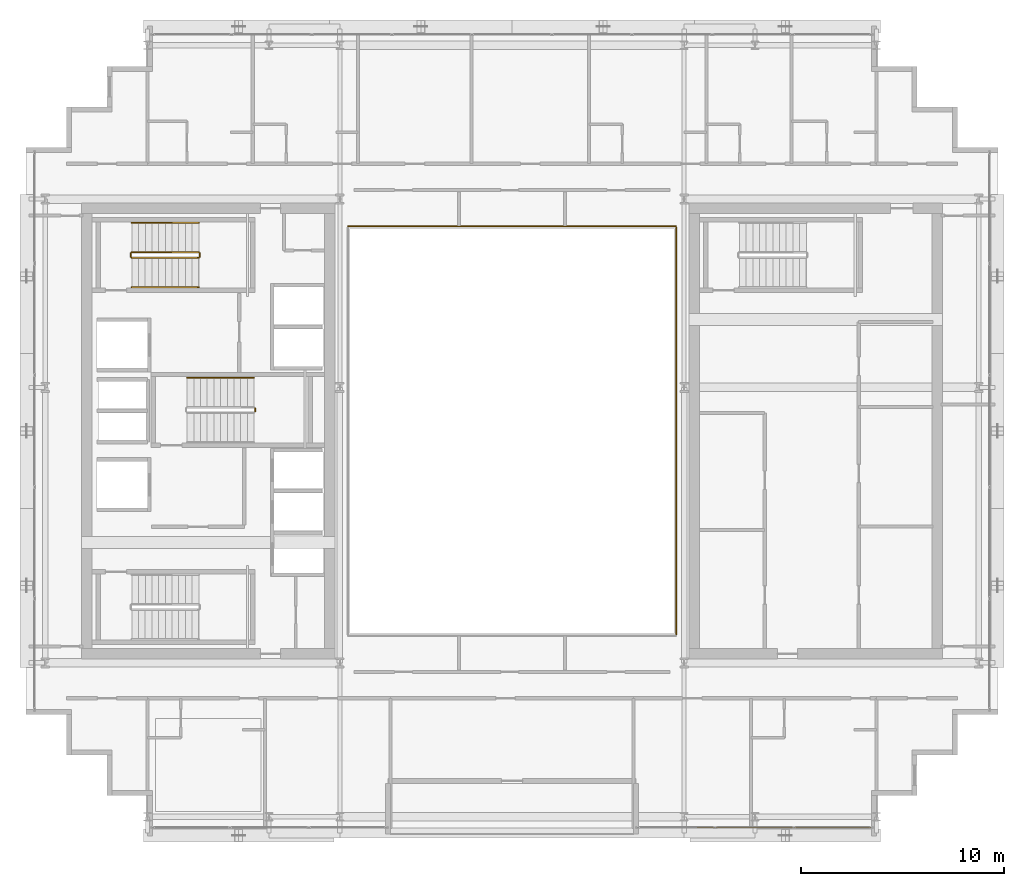
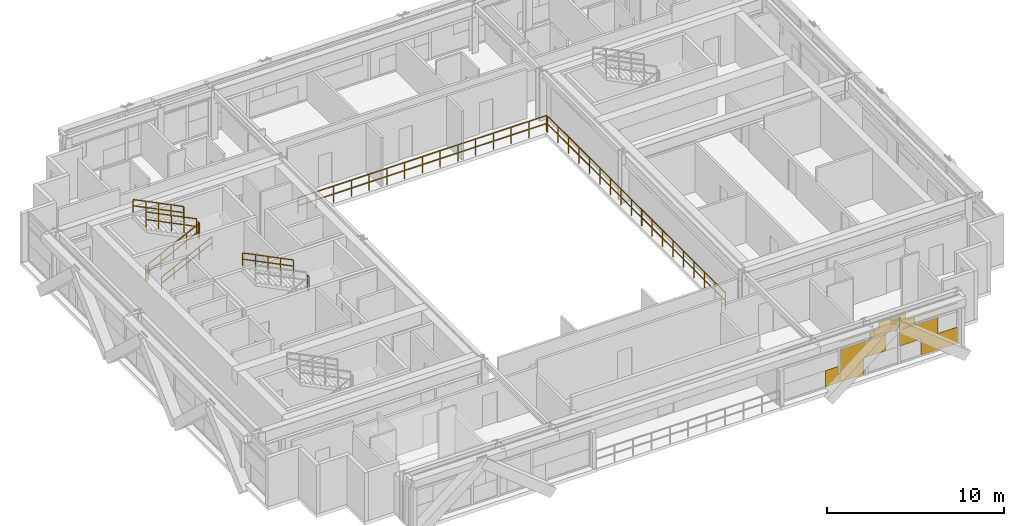
# One storey, part 29 of 31: 10 railings, 1 covering.
"""IFC4 building model written with IfcOpenShell, lengths in metres."""

from ifc_helpers import new_model, si_unit, direction, frame, origin, origin_2d, place, context, subcontext, project, spatial, rectangle, extrude, material, layer, layer_set, type_object, element, save


model = new_model("IFC4")

# Units and contexts
model_context = context("Model", 3, precision=1e-05, world=origin(), true_north=direction((0.0, 1.0)))
body_context = subcontext(model_context, "Body", "Model", "MODEL_VIEW")
ifc_project = project(units=[si_unit("LENGTHUNIT", "METRE"), si_unit("AREAUNIT", "SQUARE_METRE"), si_unit("VOLUMEUNIT", "CUBIC_METRE"), si_unit("PLANEANGLEUNIT", "RADIAN"), si_unit("MASSUNIT", "GRAM", prefix="KILO")], contexts=[model_context])

# Site, building, storey
site_placement = place(None, origin())
site = spatial("IfcSite", under=ifc_project, at=site_placement, CompositionType="ELEMENT")
building_placement = place(site_placement, origin())
building = spatial("IfcBuilding", under=site, at=building_placement, Name="Ocotamira Hotel", CompositionType="ELEMENT")
storey_placement = place(building_placement, frame((0.0, 0.0, 188.39990234375)))
storey = spatial("IfcBuildingStorey", under=building, at=storey_placement, Name="L47", CompositionType="ELEMENT", Elevation=188.39990234375)

# Covering
ifc_material_1 = material(Name="Insulated pale-metal aluminium spandrel panel", Category="aluminium")
ifc_layer = layer(ifc_material_1, 0.044921875)
ifc_layer_set = layer_set([ifc_layer], Name="Insulated pale-metal aluminium spandrel panel")
covering_type = type_object("IfcCoveringType", Name="COV-INFILL-45", PredefinedType="CLADDING", material=ifc_layer_set)
covering_placement = place(storey_placement, origin())
element("IfcCovering", 1, at=covering_placement, inside=storey, type_object=covering_type, Name="L47 Curtain Wall Infill CW-4 CW-L47-S2", PredefinedType="CLADDING", context=body_context, shape_type="SweptSolid", body=[
    extrude(rectangle(XDim=0.85888671875, YDim=0.044921875, at=origin_2d()), frame((41.5634765625, 6.419921875, 0.07568359375), z_axis=(0.0, 0.0, 1.0), x_axis=(1.0, 0.0, 0.0)), (0.0, 0.0, 1.0), 1.117919921875),
    extrude(rectangle(XDim=1.578125, YDim=0.044921875, at=origin_2d()), frame((42.86279296875, 6.419921875, 0.07568359375), z_axis=(0.0, 0.0, 1.0), x_axis=(1.0, 0.0, 0.0)), (0.0, 0.0, 1.0), 1.117919921875),
    extrude(rectangle(XDim=2.9765625, YDim=0.044921875, at=origin_2d()), frame((43.56201171875, 6.419921875, 1.1943359375), z_axis=(0.0, 0.0, 1.0), x_axis=(1.0, 0.0, 0.0)), (0.0, 0.0, 1.0), 1.117919921875),
    extrude(rectangle(XDim=3.80224609375, YDim=0.044921875, at=origin_2d()), frame((43.97509765625, 6.419921875, 2.83154296875), z_axis=(0.0, 0.0, 1.0), x_axis=(1.0, 0.0, 0.0)), (0.0, 0.0, 1.0), 0.0302734375),
    extrude(rectangle(XDim=1.8515625, YDim=0.044921875, at=origin_2d()), frame((44.950439453125, 6.419921875, 2.38818359375), z_axis=(0.0, 0.0, 1.0), x_axis=(1.0, 0.0, 0.0)), (0.0, 0.0, 1.0), 0.442626953125),
    extrude(rectangle(XDim=1.258056640625, YDim=0.044921875, at=origin_2d()), frame((45.2470703125, 6.419921875, 2.863037109375), z_axis=(0.0, 0.0, 1.0), x_axis=(1.0, 0.0, 0.0)), (0.0, 0.0, 1.0), 0.431640625),
    extrude(rectangle(XDim=2.510498046875, YDim=0.044921875, at=origin_2d()), frame((47.21240234375, 6.419921875, 1.1943359375), z_axis=(0.0, 0.0, 1.0), x_axis=(1.0, 0.0, 0.0)), (0.0, 0.0, 1.0), 1.117919921875),
    extrude(rectangle(XDim=2.37158203125, YDim=0.044921875, at=origin_2d()), frame((48.53369140625, 6.419921875, 0.07568359375), z_axis=(0.0, 0.0, 1.0), x_axis=(1.0, 0.0, 0.0)), (0.0, 0.0, 1.0), 1.117919921875),
    extrude(rectangle(XDim=1.018310546875, YDim=0.044921875, at=origin_2d()), frame((46.46630859375, 6.419921875, 2.38818359375), z_axis=(0.0, 0.0, 1.0), x_axis=(1.0, 0.0, 0.0)), (0.0, 0.0, 1.0), 0.442626953125),
    extrude(rectangle(XDim=3.76220703125, YDim=0.044921875, at=origin_2d()), frame((47.83837890625, 6.419921875, 2.83154296875), z_axis=(0.0, 0.0, 1.0), x_axis=(1.0, 0.0, 0.0)), (0.0, 0.0, 1.0), 0.0302734375),
    extrude(rectangle(XDim=0.4248046875, YDim=0.044921875, at=origin_2d()), frame((46.16943359375, 6.419921875, 2.863037109375), z_axis=(0.0, 0.0, 1.0), x_axis=(1.0, 0.0, 0.0)), (0.0, 0.0, 1.0), 0.431640625),
])

# Railings
ifc_material_2 = material(Name="Painted steel stair guardrail", Category="steel")
railing_type_1 = type_object("IfcRailingType", Name="RL-EDGE-1150", PredefinedType="GUARDRAIL", material=ifc_material_2)
railing_1_placement = place(storey_placement, frame((40.1201171875, 15.9599609375, 0.0)))
element("IfcRailing", 2, at=railing_1_placement, inside=storey, type_object=railing_type_1, Name="L47 Central Atrium Edge Guardrail E", PredefinedType="GUARDRAIL", context=body_context, shape_type="SweptSolid", body=[
    extrude(rectangle(XDim=0.048095703125, YDim=0.048095703125, at=origin_2d()), frame((0.0, 0.0, 1.1259765625), z_axis=(0.0, 1.0, 0.0), x_axis=(-1.0, 0.0, 0.0)), (0.0, 0.0, 1.0), 20.080078125),
    extrude(rectangle(XDim=0.048095703125, YDim=0.048095703125, at=origin_2d()), frame((0.0, 0.0, 0.574951171875), z_axis=(0.0, 1.0, 0.0), x_axis=(-1.0, 0.0, 0.0)), (0.0, 0.0, 1.0), 20.080078125),
    extrude(rectangle(XDim=0.0419921875, YDim=0.0419921875, at=origin_2d()), origin(), (0.0, 0.0, 1.0), 1.101806640625),
    extrude(rectangle(XDim=0.0419921875, YDim=0.0419921875, at=origin_2d()), frame((0.0, 1.18115234375, 0.0)), (0.0, 0.0, 1.0), 1.101806640625),
    extrude(rectangle(XDim=0.0419921875, YDim=0.0419921875, at=origin_2d()), frame((0.0, 2.3623046875, 0.0)), (0.0, 0.0, 1.0), 1.101806640625),
    extrude(rectangle(XDim=0.0419921875, YDim=0.0419921875, at=origin_2d()), frame((0.0, 3.54345703125, 0.0)), (0.0, 0.0, 1.0), 1.101806640625),
    extrude(rectangle(XDim=0.0419921875, YDim=0.0419921875, at=origin_2d()), frame((0.0, 4.724609375, 0.0)), (0.0, 0.0, 1.0), 1.101806640625),
    extrude(rectangle(XDim=0.0419921875, YDim=0.0419921875, at=origin_2d()), frame((0.0, 5.906005859375, 0.0)), (0.0, 0.0, 1.0), 1.101806640625),
    extrude(rectangle(XDim=0.0419921875, YDim=0.0419921875, at=origin_2d()), frame((0.0, 7.087158203125, 0.0)), (0.0, 0.0, 1.0), 1.101806640625),
    extrude(rectangle(XDim=0.0419921875, YDim=0.0419921875, at=origin_2d()), frame((0.0, 8.268310546875, 0.0)), (0.0, 0.0, 1.0), 1.101806640625),
    extrude(rectangle(XDim=0.0419921875, YDim=0.0419921875, at=origin_2d()), frame((0.0, 9.449462890625, 0.0)), (0.0, 0.0, 1.0), 1.101806640625),
    extrude(rectangle(XDim=0.0419921875, YDim=0.0419921875, at=origin_2d()), frame((0.0, 10.630615234375, 0.0)), (0.0, 0.0, 1.0), 1.101806640625),
    extrude(rectangle(XDim=0.0419921875, YDim=0.0419921875, at=origin_2d()), frame((0.0, 11.811767578125, 0.0)), (0.0, 0.0, 1.0), 1.101806640625),
    extrude(rectangle(XDim=0.0419921875, YDim=0.0419921875, at=origin_2d()), frame((0.0, 12.992919921875, 0.0)), (0.0, 0.0, 1.0), 1.101806640625),
    extrude(rectangle(XDim=0.0419921875, YDim=0.0419921875, at=origin_2d()), frame((0.0, 14.174072265625, 0.0)), (0.0, 0.0, 1.0), 1.101806640625),
    extrude(rectangle(XDim=0.0419921875, YDim=0.0419921875, at=origin_2d()), frame((0.0, 15.35546875, 0.0)), (0.0, 0.0, 1.0), 1.101806640625),
    extrude(rectangle(XDim=0.0419921875, YDim=0.0419921875, at=origin_2d()), frame((0.0, 16.53662109375, 0.0)), (0.0, 0.0, 1.0), 1.101806640625),
    extrude(rectangle(XDim=0.0419921875, YDim=0.0419921875, at=origin_2d()), frame((0.0, 17.7177734375, 0.0)), (0.0, 0.0, 1.0), 1.101806640625),
    extrude(rectangle(XDim=0.0419921875, YDim=0.0419921875, at=origin_2d()), frame((0.0, 18.89892578125, 0.0)), (0.0, 0.0, 1.0), 1.101806640625),
    extrude(rectangle(XDim=0.0419921875, YDim=0.0419921875, at=origin_2d()), frame((0.0, 20.080078125, 0.0)), (0.0, 0.0, 1.0), 1.101806640625),
])
railing_2_placement = place(storey_placement, frame((40.10009765625, 36.1201171875, 0.0)))
element("IfcRailing", 3, at=railing_2_placement, inside=storey, type_object=railing_type_1, Name="L47 Central Atrium Edge Guardrail N", PredefinedType="GUARDRAIL", context=body_context, shape_type="SweptSolid", body=[
    extrude(rectangle(XDim=0.048095703125, YDim=0.048095703125, at=origin_2d()), frame((0.0, 0.0, 1.1259765625), z_axis=(-1.0, 0.0, 0.0), x_axis=(0.0, -1.0, 0.0)), (0.0, 0.0, 1.0), 16.2001953125),
    extrude(rectangle(XDim=0.048095703125, YDim=0.048095703125, at=origin_2d()), frame((0.0, 0.0, 0.574951171875), z_axis=(-1.0, 0.0, 0.0), x_axis=(0.0, -1.0, 0.0)), (0.0, 0.0, 1.0), 16.2001953125),
    extrude(rectangle(XDim=0.0419921875, YDim=0.0419921875, at=origin_2d()), origin(), (0.0, 0.0, 1.0), 1.101806640625),
    extrude(rectangle(XDim=0.0419921875, YDim=0.0419921875, at=origin_2d()), frame((-1.1572265625, 0.0, 0.0)), (0.0, 0.0, 1.0), 1.101806640625),
    extrude(rectangle(XDim=0.0419921875, YDim=0.0419921875, at=origin_2d()), frame((-2.314208984375, 0.0, 0.0)), (0.0, 0.0, 1.0), 1.101806640625),
    extrude(rectangle(XDim=0.0419921875, YDim=0.0419921875, at=origin_2d()), frame((-3.471435546875, 0.0, 0.0)), (0.0, 0.0, 1.0), 1.101806640625),
    extrude(rectangle(XDim=0.0419921875, YDim=0.0419921875, at=origin_2d()), frame((-4.628662109375, 0.0, 0.0)), (0.0, 0.0, 1.0), 1.101806640625),
    extrude(rectangle(XDim=0.0419921875, YDim=0.0419921875, at=origin_2d()), frame((-5.785888671875, 0.0, 0.0)), (0.0, 0.0, 1.0), 1.101806640625),
    extrude(rectangle(XDim=0.0419921875, YDim=0.0419921875, at=origin_2d()), frame((-6.94287109375, 0.0, 0.0)), (0.0, 0.0, 1.0), 1.101806640625),
    extrude(rectangle(XDim=0.0419921875, YDim=0.0419921875, at=origin_2d()), frame((-8.10009765625, 0.0, 0.0)), (0.0, 0.0, 1.0), 1.101806640625),
    extrude(rectangle(XDim=0.0419921875, YDim=0.0419921875, at=origin_2d()), frame((-9.25732421875, 0.0, 0.0)), (0.0, 0.0, 1.0), 1.101806640625),
    extrude(rectangle(XDim=0.0419921875, YDim=0.0419921875, at=origin_2d()), frame((-10.414306640625, 0.0, 0.0)), (0.0, 0.0, 1.0), 1.101806640625),
    extrude(rectangle(XDim=0.0419921875, YDim=0.0419921875, at=origin_2d()), frame((-11.571533203125, 0.0, 0.0)), (0.0, 0.0, 1.0), 1.101806640625),
    extrude(rectangle(XDim=0.0419921875, YDim=0.0419921875, at=origin_2d()), frame((-12.728759765625, 0.0, 0.0)), (0.0, 0.0, 1.0), 1.101806640625),
    extrude(rectangle(XDim=0.0419921875, YDim=0.0419921875, at=origin_2d()), frame((-13.885986328125, 0.0, 0.0)), (0.0, 0.0, 1.0), 1.101806640625),
    extrude(rectangle(XDim=0.0419921875, YDim=0.0419921875, at=origin_2d()), frame((-15.04296875, 0.0, 0.0)), (0.0, 0.0, 1.0), 1.101806640625),
    extrude(rectangle(XDim=0.0419921875, YDim=0.0419921875, at=origin_2d()), frame((-16.2001953125, 0.0, 0.0)), (0.0, 0.0, 1.0), 1.101806640625),
])
ifc_material_3 = material(Name="Brushed stainless steel handrail", Category="steel")
railing_type_2 = type_object("IfcRailingType", Name="RL-HAND-900", PredefinedType="HANDRAIL", material=ifc_material_3)
railing_3_placement = place(storey_placement, frame((13.22998046875, 33.10009765625, 0.327392578125)))
element("IfcRailing", 4, at=railing_3_placement, inside=storey, type_object=railing_type_2, Name="L47 ST-2 stair handrail 1", PredefinedType="HANDRAIL", context=body_context, shape_type="SweptSolid", body=[
    extrude(rectangle(XDim=0.048095703125, YDim=0.048095703125, at=origin_2d()), frame((0.0, 0.0, 0.8759765625), z_axis=(0.895920123917, 0.0, 0.444215186098), x_axis=(0.0, 1.0, 0.0)), (0.0, 0.0, 1.0), 3.683349609375),
    extrude(rectangle(XDim=0.048095703125, YDim=0.048095703125, at=origin_2d()), frame((0.0, 0.0, 0.449951171875), z_axis=(0.895920123917, 0.0, 0.444215186098), x_axis=(0.0, 1.0, 0.0)), (0.0, 0.0, 1.0), 3.683349609375),
    extrude(rectangle(XDim=0.0419921875, YDim=0.0419921875, at=origin_2d()), origin(), (0.0, 0.0, 1.0), 0.851806640625),
    extrude(rectangle(XDim=0.0419921875, YDim=0.0419921875, at=origin_2d()), frame((0.824951171875, 0.0, 0.4091796875)), (0.0, 0.0, 1.0), 0.851806640625),
    extrude(rectangle(XDim=0.0419921875, YDim=0.0419921875, at=origin_2d()), frame((1.64990234375, 0.0, 0.818115234375)), (0.0, 0.0, 1.0), 0.851806640625),
    extrude(rectangle(XDim=0.0419921875, YDim=0.0419921875, at=origin_2d()), frame((2.47509765625, 0.0, 1.22705078125)), (0.0, 0.0, 1.0), 0.851806640625),
    extrude(rectangle(XDim=0.0419921875, YDim=0.0419921875, at=origin_2d()), frame((3.300048828125, 0.0, 1.63623046875)), (0.0, 0.0, 1.0), 0.851806640625),
])
for number, where, name in (
    (5, (16.530029296875, 36.280029296875, 2.12744140625), "L47 ST-2 stair handrail 2"),
    (6, (19.260009765625, 28.6298828125, 2.12744140625), "L47 ST-3 stair handrail 2"),
):
    element("IfcRailing", number, at=place(storey_placement, frame(where)), inside=storey, type_object=railing_type_2, Name=name, PredefinedType="HANDRAIL", context=body_context, shape_type="SweptSolid", body=[
        extrude(rectangle(XDim=0.048095703125, YDim=0.048095703125, at=origin_2d()), frame((0.0, 0.0, 0.8759765625), z_axis=(-0.895920123917, 0.0, 0.444215186098), x_axis=(0.0, -1.0, 0.0)), (0.0, 0.0, 1.0), 3.683349609375),
        extrude(rectangle(XDim=0.048095703125, YDim=0.048095703125, at=origin_2d()), frame((0.0, 0.0, 0.449951171875), z_axis=(-0.895920123917, 0.0, 0.444215186098), x_axis=(0.0, -1.0, 0.0)), (0.0, 0.0, 1.0), 3.683349609375),
        extrude(rectangle(XDim=0.0419921875, YDim=0.0419921875, at=origin_2d()), origin(), (0.0, 0.0, 1.0), 0.851806640625),
        extrude(rectangle(XDim=0.0419921875, YDim=0.0419921875, at=origin_2d()), frame((-0.824951171875, 0.0, 0.4091796875)), (0.0, 0.0, 1.0), 0.851806640625),
        extrude(rectangle(XDim=0.0419921875, YDim=0.0419921875, at=origin_2d()), frame((-1.64990234375, 0.0, 0.818115234375)), (0.0, 0.0, 1.0), 0.851806640625),
        extrude(rectangle(XDim=0.0419921875, YDim=0.0419921875, at=origin_2d()), frame((-2.47509765625, 0.0, 1.22705078125)), (0.0, 0.0, 1.0), 0.851806640625),
        extrude(rectangle(XDim=0.0419921875, YDim=0.0419921875, at=origin_2d()), frame((-3.300048828125, 0.0, 1.63623046875)), (0.0, 0.0, 1.0), 0.851806640625),
    ])
railing_type_3 = type_object("IfcRailingType", Name="RL-STAIR-1100", PredefinedType="GUARDRAIL", material=ifc_material_2)
railing_4_placement = place(storey_placement, frame((13.22998046875, 34.56005859375, 0.163818359375)))
element("IfcRailing", 7, at=railing_4_placement, inside=storey, type_object=railing_type_3, Name="L47 ST-2 stair guard 1", PredefinedType="GUARDRAIL", context=body_context, shape_type="SweptSolid", body=[
    extrude(rectangle(XDim=0.048095703125, YDim=0.048095703125, at=origin_2d()), frame((0.0, 0.0, 1.076171875), z_axis=(0.895920123917, 0.0, 0.444215186098), x_axis=(0.0, 1.0, 0.0)), (0.0, 0.0, 1.0), 3.683349609375),
    extrude(rectangle(XDim=0.048095703125, YDim=0.048095703125, at=origin_2d()), frame((0.0, 0.0, 0.550048828125), z_axis=(0.895920123917, 0.0, 0.444215186098), x_axis=(0.0, 1.0, 0.0)), (0.0, 0.0, 1.0), 3.683349609375),
    extrude(rectangle(XDim=0.0419921875, YDim=0.0419921875, at=origin_2d()), origin(), (0.0, 0.0, 1.0), 1.052001953125),
    extrude(rectangle(XDim=0.0419921875, YDim=0.0419921875, at=origin_2d()), frame((0.824951171875, 0.0, 0.4091796875)), (0.0, 0.0, 1.0), 1.052001953125),
    extrude(rectangle(XDim=0.0419921875, YDim=0.0419921875, at=origin_2d()), frame((1.64990234375, 0.0, 0.818115234375)), (0.0, 0.0, 1.0), 1.052001953125),
    extrude(rectangle(XDim=0.0419921875, YDim=0.0419921875, at=origin_2d()), frame((2.47509765625, 0.0, 1.22705078125)), (0.0, 0.0, 1.0), 1.052001953125),
    extrude(rectangle(XDim=0.0419921875, YDim=0.0419921875, at=origin_2d()), frame((3.300048828125, 0.0, 1.63623046875)), (0.0, 0.0, 1.0), 1.052001953125),
])
railing_5_placement = place(storey_placement, frame((16.580078125, 34.610107421875, 1.800048828125)))
element("IfcRailing", 8, at=railing_5_placement, inside=storey, type_object=railing_type_3, Name="L47 ST-2 stair guard 2", PredefinedType="GUARDRAIL", context=body_context, shape_type="SweptSolid", body=[
    extrude(rectangle(XDim=0.048095703125, YDim=0.048095703125, at=origin_2d()), frame((0.0, 0.0, 1.076171875), z_axis=(0.0, 1.0, 0.0), x_axis=(-1.0, 0.0, 0.0)), (0.0, 0.0, 1.0), 0.159912109375),
    extrude(rectangle(XDim=0.048095703125, YDim=0.048095703125, at=origin_2d()), frame((0.0, 0.0, 0.550048828125), z_axis=(0.0, 1.0, 0.0), x_axis=(-1.0, 0.0, 0.0)), (0.0, 0.0, 1.0), 0.159912109375),
    extrude(rectangle(XDim=0.0419921875, YDim=0.0419921875, at=origin_2d()), origin(), (0.0, 0.0, 1.0), 1.052001953125),
    extrude(rectangle(XDim=0.0419921875, YDim=0.0419921875, at=origin_2d()), frame((0.0, 0.159912109375, 0.0)), (0.0, 0.0, 1.0), 1.052001953125),
])
railing_6_placement = place(storey_placement, frame((16.530029296875, 34.820068359375, 1.963623046875)))
element("IfcRailing", 9, at=railing_6_placement, inside=storey, type_object=railing_type_3, Name="L47 ST-2 stair guard 3", PredefinedType="GUARDRAIL", context=body_context, shape_type="SweptSolid", body=[
    extrude(rectangle(XDim=0.048095703125, YDim=0.048095703125, at=origin_2d()), frame((0.0, 0.0, 1.076171875), z_axis=(-0.895893744519, 0.0, 0.4442683857), x_axis=(0.0, -1.0, 0.0)), (0.0, 0.0, 1.0), 3.68359375),
    extrude(rectangle(XDim=0.048095703125, YDim=0.048095703125, at=origin_2d()), frame((0.0, 0.0, 0.550048828125), z_axis=(-0.895893744519, 0.0, 0.4442683857), x_axis=(0.0, -1.0, 0.0)), (0.0, 0.0, 1.0), 3.68359375),
    extrude(rectangle(XDim=0.0419921875, YDim=0.0419921875, at=origin_2d()), origin(), (0.0, 0.0, 1.0), 1.052001953125),
    extrude(rectangle(XDim=0.0419921875, YDim=0.0419921875, at=origin_2d()), frame((-0.824951171875, 0.0, 0.4091796875)), (0.0, 0.0, 1.0), 1.052001953125),
    extrude(rectangle(XDim=0.0419921875, YDim=0.0419921875, at=origin_2d()), frame((-1.64990234375, 0.0, 0.818359375)), (0.0, 0.0, 1.0), 1.052001953125),
    extrude(rectangle(XDim=0.0419921875, YDim=0.0419921875, at=origin_2d()), frame((-2.47509765625, 0.0, 1.227294921875)), (0.0, 0.0, 1.0), 1.052001953125),
    extrude(rectangle(XDim=0.0419921875, YDim=0.0419921875, at=origin_2d()), frame((-3.300048828125, 0.0, 1.636474609375)), (0.0, 0.0, 1.0), 1.052001953125),
])
railing_7_placement = place(storey_placement, frame((13.179931640625, 34.610107421875, 0.0)))
element("IfcRailing", 10, at=railing_7_placement, inside=storey, type_object=railing_type_3, Name="L47 ST-2 stair guard 4", PredefinedType="GUARDRAIL", context=body_context, shape_type="SweptSolid", body=[
    extrude(rectangle(XDim=0.048095703125, YDim=0.048095703125, at=origin_2d()), frame((0.0, 0.0, 1.076171875), z_axis=(0.0, 1.0, 0.0), x_axis=(-1.0, 0.0, 0.0)), (0.0, 0.0, 1.0), 0.159912109375),
    extrude(rectangle(XDim=0.048095703125, YDim=0.048095703125, at=origin_2d()), frame((0.0, 0.0, 0.550048828125), z_axis=(0.0, 1.0, 0.0), x_axis=(-1.0, 0.0, 0.0)), (0.0, 0.0, 1.0), 0.159912109375),
    extrude(rectangle(XDim=0.0419921875, YDim=0.0419921875, at=origin_2d()), origin(), (0.0, 0.0, 1.0), 1.052001953125),
    extrude(rectangle(XDim=0.0419921875, YDim=0.0419921875, at=origin_2d()), frame((0.0, 0.159912109375, 0.0)), (0.0, 0.0, 1.0), 1.052001953125),
])
railing_8_placement = place(storey_placement, frame((19.31005859375, 26.9599609375, 1.800048828125)))
element("IfcRailing", 11, at=railing_8_placement, inside=storey, type_object=railing_type_3, Name="L47 ST-3 stair guard 2", PredefinedType="GUARDRAIL", context=body_context, shape_type="SweptSolid", body=[
    extrude(rectangle(XDim=0.048095703125, YDim=0.048095703125, at=origin_2d()), frame((0.0, 0.0, 1.076171875), z_axis=(0.0, 1.0, 0.0), x_axis=(-1.0, 0.0, 0.0)), (0.0, 0.0, 1.0), 0.16015625),
    extrude(rectangle(XDim=0.048095703125, YDim=0.048095703125, at=origin_2d()), frame((0.0, 0.0, 0.550048828125), z_axis=(0.0, 1.0, 0.0), x_axis=(-1.0, 0.0, 0.0)), (0.0, 0.0, 1.0), 0.16015625),
    extrude(rectangle(XDim=0.0419921875, YDim=0.0419921875, at=origin_2d()), origin(), (0.0, 0.0, 1.0), 1.052001953125),
    extrude(rectangle(XDim=0.0419921875, YDim=0.0419921875, at=origin_2d()), frame((0.0, 0.16015625, 0.0)), (0.0, 0.0, 1.0), 1.052001953125),
])

save(model, "model.ifc")
